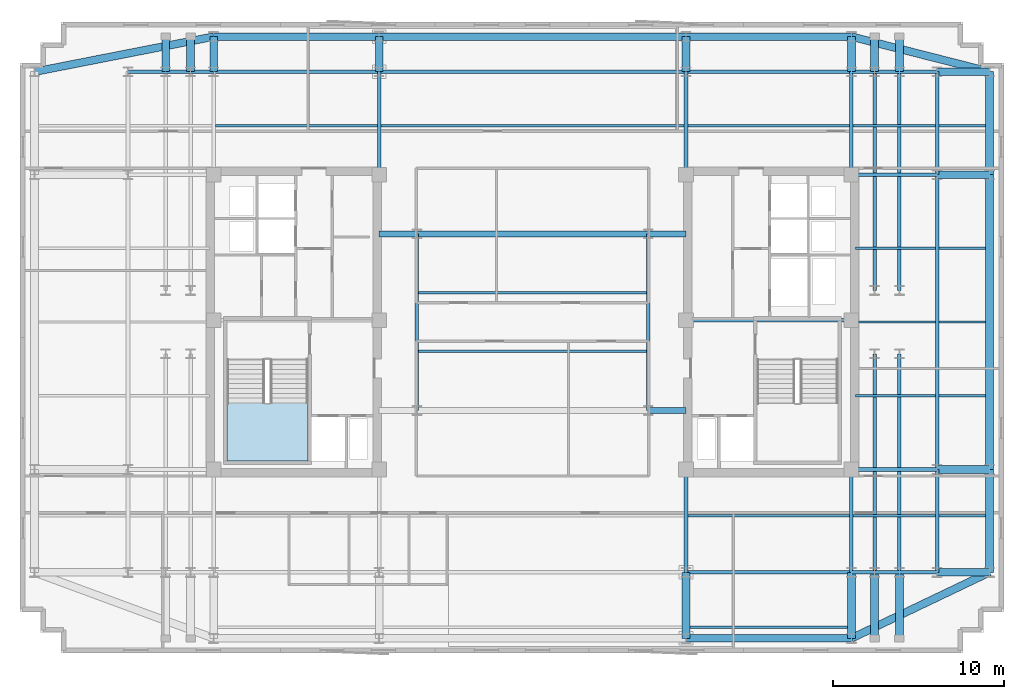
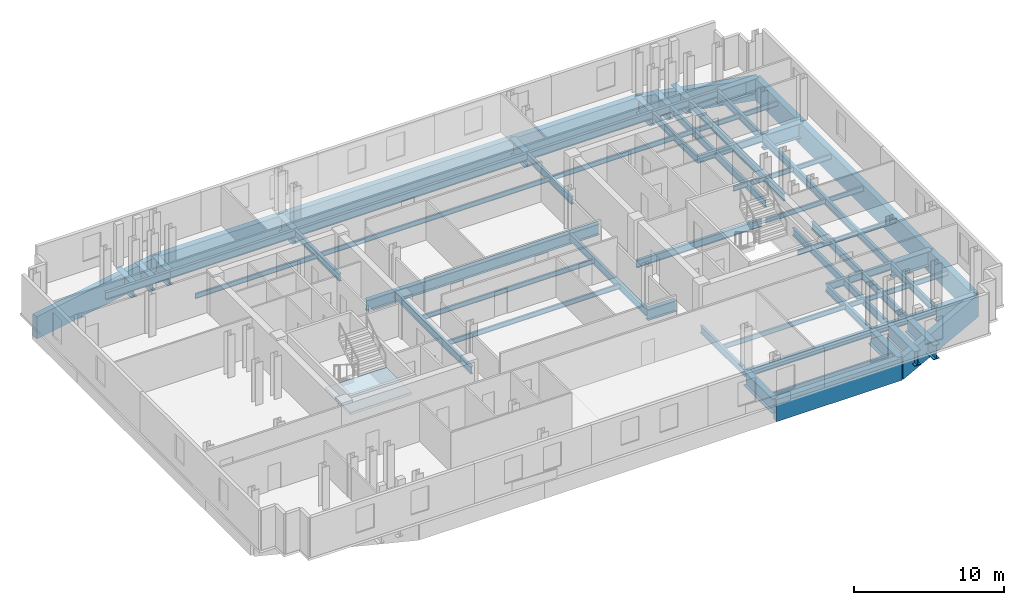
# One storey, part 2 of 9: 71 beams, 1 slab, 1 element without a shape of its own.
"""IFC4 building model written with IfcOpenShell, lengths in metres."""

from ifc_helpers import new_model, si_unit, direction, frame, origin, origin_2d, place, context, subcontext, project, spatial, polyline, rectangle, i_section, outline, extrude, material, layer, layer_set, material_profile, profile_set, type_object, element, aggregate, save


model = new_model("IFC4")

# Units and contexts
model_context = context("Model", 3, precision=1e-05, world=origin(), true_north=direction((0.0, 1.0)))
body_context = subcontext(model_context, "Body", "Model", "MODEL_VIEW")
ifc_project = project(units=[si_unit("LENGTHUNIT", "METRE"), si_unit("AREAUNIT", "SQUARE_METRE"), si_unit("VOLUMEUNIT", "CUBIC_METRE"), si_unit("PLANEANGLEUNIT", "RADIAN"), si_unit("MASSUNIT", "GRAM", prefix="KILO")], contexts=[model_context])

# Site, building, storey
site_placement = place(None, origin())
site = spatial("IfcSite", under=ifc_project, at=site_placement, CompositionType="ELEMENT")
building_placement = place(site_placement, origin())
building = spatial("IfcBuilding", under=site, at=building_placement, Name="Velakula Bourse", CompositionType="ELEMENT")
storey_placement = place(building_placement, frame((0.0, 0.0, 208.5)))
storey = spatial("IfcBuildingStorey", under=building, at=storey_placement, Name="L56", CompositionType="ELEMENT", Elevation=208.5)

# Beams
ifc_material_1 = material(Name="Steel IS 2062 Grade 350 (E350)", Category="steel")
ifc_material_profile_1 = material_profile(ifc_material_1, i_section(OverallWidth=0.2099609375, OverallDepth=0.60009765625, WebThickness=0.011962890625, FlangeThickness=0.020751953125, at=origin_2d()), Name="Steel IS 2062 Grade 350 (E350)")
ifc_profile_set_1 = profile_set([ifc_material_profile_1], Name="Steel IS 2062 Grade 350 (E350)")
beam_type_1 = type_object("IfcBeamType", Name="BM-GRD-600L", PredefinedType="BEAM", material=ifc_profile_set_1)
beam_1_placement = place(storey_placement, frame((8.949951171875, 0.10009765625, -0.47998046875), z_axis=(1.0, 0.0, 0.0), x_axis=(0.0, 1.0, 0.0)))
element("IfcBeam", 1, at=beam_1_placement, inside=storey, type_object=beam_type_1, Name="L56 Primary Backbone Girder CRE-M", PredefinedType="BEAM", context=body_context, shape_type="SweptSolid", body=[
    extrude(i_section(OverallWidth=0.2099609375, OverallDepth=0.60009765625, WebThickness=0.011962890625, FlangeThickness=0.020751953125, at=origin_2d()), origin(), (0.0, 0.0, 1.0), 9.650146484375),
])
for number, where, z_axis, x_axis, name in (
    (2, (-6.75, -5.14990234375, -0.47998046875), (0.0, 1.0, 0.0), (-1.0, 0.0, 0.0), "L56 Primary Backbone Girder SPN-W"),
    (3, (6.75, -5.14990234375, -0.47998046875), (0.0, 1.0, 0.0), (-1.0, 0.0, 0.0), "L56 Primary Backbone Girder SPN-E"),
):
    element("IfcBeam", number, at=place(storey_placement, frame(where, z_axis=z_axis, x_axis=x_axis)), inside=storey, type_object=beam_type_1, Name=name, PredefinedType="BEAM", context=body_context, shape_type="SweptSolid", body=[
        extrude(i_section(OverallWidth=0.2099609375, OverallDepth=0.60009765625, WebThickness=0.011962890625, FlangeThickness=0.020751953125, at=origin_2d()), origin(), (0.0, 0.0, 1.0), 10.2998046875),
    ])
for number, where, z_axis, x_axis, name in (
    (4, (-8.949951171875, 8.60009765625, -0.47998046875), (0.0, 1.0, 0.0), (-1.0, 0.0, 0.0), "L56 Fulcrum Grid Girder FLC-WCN"),
    (5, (8.949951171875, -14.60009765625, -0.47998046875), (0.0, 1.0, 0.0), (-1.0, 0.0, 0.0), "L56 Fulcrum Grid Girder FLC-ECS"),
    (6, (8.949951171875, 8.60009765625, -0.47998046875), (0.0, 1.0, 0.0), (-1.0, 0.0, 0.0), "L56 Fulcrum Grid Girder FLC-ECN"),
    (7, (18.60009765625, -14.60009765625, -0.47998046875), (0.0, 1.0, 0.0), (-1.0, 0.0, 0.0), "L56 Fulcrum Grid Girder FLC-ES"),
    (8, (18.60009765625, 8.60009765625, -0.47998046875), (0.0, 1.0, 0.0), (-1.0, 0.0, 0.0), "L56 Fulcrum Grid Girder FLC-EN"),
):
    element("IfcBeam", number, at=place(storey_placement, frame(where, z_axis=z_axis, x_axis=x_axis)), inside=storey, type_object=beam_type_1, Name=name, PredefinedType="BEAM", context=body_context, shape_type="SweptSolid", body=[
        extrude(i_section(OverallWidth=0.2099609375, OverallDepth=0.60009765625, WebThickness=0.011962890625, FlangeThickness=0.020751953125, at=origin_2d()), origin(), (0.0, 0.0, 1.0), 6.0),
    ])
for number, where, z_axis, x_axis, name in (
    (9, (8.949951171875, -14.60009765625, -0.47998046875), (1.0, 0.0, 0.0), (0.0, 1.0, 0.0), "L56 Fulcrum Grid Girder FLC-S3"),
    (10, (-18.60009765625, 14.60009765625, -0.47998046875), (1.0, 0.0, 0.0), (0.0, 1.0, 0.0), "L56 Fulcrum Grid Girder FLC-N1"),
):
    element("IfcBeam", number, at=place(storey_placement, frame(where, z_axis=z_axis, x_axis=x_axis)), inside=storey, type_object=beam_type_1, Name=name, PredefinedType="BEAM", context=body_context, shape_type="SweptSolid", body=[
        extrude(i_section(OverallWidth=0.2099609375, OverallDepth=0.60009765625, WebThickness=0.011962890625, FlangeThickness=0.020751953125, at=origin_2d()), origin(), (0.0, 0.0, 1.0), 9.650146484375),
    ])
beam_2_placement = place(storey_placement, frame((-8.949951171875, 14.60009765625, -0.47998046875), z_axis=(1.0, 0.0, 0.0), x_axis=(0.0, 1.0, 0.0)))
element("IfcBeam", 11, at=beam_2_placement, inside=storey, type_object=beam_type_1, Name="L56 Fulcrum Grid Girder FLC-N2", PredefinedType="BEAM", context=body_context, shape_type="SweptSolid", body=[
    extrude(i_section(OverallWidth=0.2099609375, OverallDepth=0.60009765625, WebThickness=0.011962890625, FlangeThickness=0.020751953125, at=origin_2d()), origin(), (0.0, 0.0, 1.0), 17.89990234375),
])
beam_3_placement = place(storey_placement, frame((8.949951171875, 14.60009765625, -0.47998046875), z_axis=(1.0, 0.0, 0.0), x_axis=(0.0, 1.0, 0.0)))
element("IfcBeam", 12, at=beam_3_placement, inside=storey, type_object=beam_type_1, Name="L56 Fulcrum Grid Girder FLC-N3", PredefinedType="BEAM", context=body_context, shape_type="SweptSolid", body=[
    extrude(i_section(OverallWidth=0.2099609375, OverallDepth=0.60009765625, WebThickness=0.011962890625, FlangeThickness=0.020751953125, at=origin_2d()), origin(), (0.0, 0.0, 1.0), 9.650146484375),
])
for number, where, z_axis, x_axis, name in (
    (13, (19.949951171875, -14.60009765625, -0.47998046875), (0.0, 1.0, 0.0), (-1.0, 0.0, 0.0), "L56 Fulcrum Grid Girder FLC-PSE1"),
    (14, (19.949951171875, 1.85009765625, -0.47998046875), (0.0, 1.0, 0.0), (-1.0, 0.0, 0.0), "L56 Fulcrum Grid Girder FLC-PNE1"),
    (15, (21.39990234375, -14.60009765625, -0.47998046875), (0.0, 1.0, 0.0), (-1.0, 0.0, 0.0), "L56 Fulcrum Grid Girder FLC-PSE2"),
    (16, (21.39990234375, 1.85009765625, -0.47998046875), (0.0, 1.0, 0.0), (-1.0, 0.0, 0.0), "L56 Fulcrum Grid Girder FLC-PNE2"),
):
    element("IfcBeam", number, at=place(storey_placement, frame(where, z_axis=z_axis, x_axis=x_axis)), inside=storey, type_object=beam_type_1, Name=name, PredefinedType="BEAM", context=body_context, shape_type="SweptSolid", body=[
        extrude(i_section(OverallWidth=0.2099609375, OverallDepth=0.60009765625, WebThickness=0.011962890625, FlangeThickness=0.020751953125, at=origin_2d()), origin(), (0.0, 0.0, 1.0), 12.75),
    ])
for number, where, z_axis, x_axis, name in (
    (17, (-23.60009765625, 14.60009765625, -0.47998046875), (1.0, 0.0, 0.0), (0.0, 1.0, 0.0), "L56 Fulcrum Grid Girder MWG-WN2"),
    (18, (18.60009765625, -14.60009765625, -0.47998046875), (1.0, 0.0, 0.0), (0.0, 1.0, 0.0), "L56 Fulcrum Grid Girder MWG-ES1"),
    (19, (18.60009765625, -8.60009765625, -0.47998046875), (1.0, 0.0, 0.0), (0.0, 1.0, 0.0), "L56 Fulcrum Grid Girder MWG-ES2"),
    (20, (18.60009765625, 8.60009765625, -0.47998046875), (1.0, 0.0, 0.0), (0.0, 1.0, 0.0), "L56 Fulcrum Grid Girder MWG-EN1"),
    (21, (18.60009765625, 14.60009765625, -0.47998046875), (1.0, 0.0, 0.0), (0.0, 1.0, 0.0), "L56 Fulcrum Grid Girder MWG-EN2"),
):
    element("IfcBeam", number, at=place(storey_placement, frame(where, z_axis=z_axis, x_axis=x_axis)), inside=storey, type_object=beam_type_1, Name=name, PredefinedType="BEAM", context=body_context, shape_type="SweptSolid", body=[
        extrude(i_section(OverallWidth=0.2099609375, OverallDepth=0.60009765625, WebThickness=0.011962890625, FlangeThickness=0.020751953125, at=origin_2d()), origin(), (0.0, 0.0, 1.0), 5.0),
    ])
beam_4_placement = place(storey_placement, frame((23.60009765625, -14.60009765625, -0.47998046875), z_axis=(0.0, 1.0, 0.0), x_axis=(-1.0, 0.0, 0.0)))
element("IfcBeam", 22, at=beam_4_placement, inside=storey, type_object=beam_type_1, Name="L56 Fulcrum Grid Girder MWG-ENS1", PredefinedType="BEAM", context=body_context, shape_type="SweptSolid", body=[
    extrude(i_section(OverallWidth=0.2099609375, OverallDepth=0.60009765625, WebThickness=0.011962890625, FlangeThickness=0.020751953125, at=origin_2d()), origin(), (0.0, 0.0, 1.0), 6.0),
])
beam_5_placement = place(storey_placement, frame((23.60009765625, -8.60009765625, -0.47998046875), z_axis=(0.0, 1.0, 0.0), x_axis=(-1.0, 0.0, 0.0)))
element("IfcBeam", 23, at=beam_5_placement, inside=storey, type_object=beam_type_1, Name="L56 Fulcrum Grid Girder MWG-ENS2", PredefinedType="BEAM", context=body_context, shape_type="SweptSolid", body=[
    extrude(i_section(OverallWidth=0.2099609375, OverallDepth=0.60009765625, WebThickness=0.011962890625, FlangeThickness=0.020751953125, at=origin_2d()), origin(), (0.0, 0.0, 1.0), 17.2001953125),
])
beam_6_placement = place(storey_placement, frame((23.60009765625, 8.60009765625, -0.47998046875), z_axis=(0.0, 1.0, 0.0), x_axis=(-1.0, 0.0, 0.0)))
element("IfcBeam", 24, at=beam_6_placement, inside=storey, type_object=beam_type_1, Name="L56 Fulcrum Grid Girder MWG-ENS3", PredefinedType="BEAM", context=body_context, shape_type="SweptSolid", body=[
    extrude(i_section(OverallWidth=0.2099609375, OverallDepth=0.60009765625, WebThickness=0.011962890625, FlangeThickness=0.020751953125, at=origin_2d()), origin(), (0.0, 0.0, 1.0), 6.0),
])
ifc_material_profile_2 = material_profile(ifc_material_1, i_section(OverallWidth=0.35009765625, OverallDepth=0.89990234375, WebThickness=0.02001953125, FlangeThickness=0.031982421875, at=origin_2d()), Name="Steel IS 2062 Grade 350 (E350)")
ifc_profile_set_2 = profile_set([ifc_material_profile_2], Name="Steel IS 2062 Grade 350 (E350)")
beam_type_2 = type_object("IfcBeamType", Name="BM-LNK-900", PredefinedType="BEAM", material=ifc_profile_set_2)
for number, where, z_axis, x_axis, name in (
    (25, (6.75, -5.14990234375, -0.6298828125), (1.0, 0.0, 0.0), (0.0, 1.0, 0.0), "L56 Primary Backbone Girder LNK-S3"),
    (26, (-8.949951171875, 5.14990234375, -0.6298828125), (1.0, 0.0, 0.0), (0.0, 1.0, 0.0), "L56 Primary Backbone Girder LNK-N1"),
):
    element("IfcBeam", number, at=place(storey_placement, frame(where, z_axis=z_axis, x_axis=x_axis)), inside=storey, type_object=beam_type_2, Name=name, PredefinedType="BEAM", context=body_context, shape_type="SweptSolid", body=[
        extrude(i_section(OverallWidth=0.35009765625, OverallDepth=0.89990234375, WebThickness=0.02001953125, FlangeThickness=0.031982421875, at=origin_2d()), origin(), (0.0, 0.0, 1.0), 2.199951171875),
    ])
beam_7_placement = place(storey_placement, frame((-6.75, 5.14990234375, -0.6298828125), z_axis=(1.0, 0.0, 0.0), x_axis=(0.0, 1.0, 0.0)))
element("IfcBeam", 27, at=beam_7_placement, inside=storey, type_object=beam_type_2, Name="L56 Primary Backbone Girder LNK-N2", PredefinedType="BEAM", context=body_context, shape_type="SweptSolid", body=[
    extrude(i_section(OverallWidth=0.35009765625, OverallDepth=0.89990234375, WebThickness=0.02001953125, FlangeThickness=0.031982421875, at=origin_2d()), origin(), (0.0, 0.0, 1.0), 13.5),
])
beam_8_placement = place(storey_placement, frame((6.75, 5.14990234375, -0.6298828125), z_axis=(1.0, 0.0, 0.0), x_axis=(0.0, 1.0, 0.0)))
element("IfcBeam", 28, at=beam_8_placement, inside=storey, type_object=beam_type_2, Name="L56 Primary Backbone Girder LNK-N3", PredefinedType="BEAM", context=body_context, shape_type="SweptSolid", body=[
    extrude(i_section(OverallWidth=0.35009765625, OverallDepth=0.89990234375, WebThickness=0.02001953125, FlangeThickness=0.031982421875, at=origin_2d()), origin(), (0.0, 0.0, 1.0), 2.199951171875),
])
ifc_material_profile_3 = material_profile(ifc_material_1, i_section(OverallWidth=0.139892578125, OverallDepth=0.39990234375, WebThickness=0.0087890625, FlangeThickness=0.01611328125, at=origin_2d()), Name="Steel IS 2062 Grade 350 (E350)")
ifc_profile_set_3 = profile_set([ifc_material_profile_3], Name="Steel IS 2062 Grade 350 (E350)")
beam_type_3 = type_object("IfcBeamType", Name="JST-TWR-400", PredefinedType="JOIST", material=ifc_profile_set_3)
beam_9_placement = place(storey_placement, frame((9.175048828125, -17.800048828125, -0.3798828125), z_axis=(1.0, 0.0, 0.0), x_axis=(0.0, 1.0, 0.0)))
element("IfcBeam", 29, at=beam_9_placement, inside=storey, type_object=beam_type_3, Name="L56 Trading Floor Composite Joist 03", PredefinedType="JOIST", context=body_context, shape_type="SweptSolid", body=[
    extrude(i_section(OverallWidth=0.139892578125, OverallDepth=0.39990234375, WebThickness=0.0087890625, FlangeThickness=0.01611328125, at=origin_2d()), origin(), (0.0, 0.0, 1.0), 9.199951171875),
])
beam_10_placement = place(storey_placement, frame((9.054931640625, -11.300048828125, -0.3798828125), z_axis=(1.0, 0.0, 0.0), x_axis=(0.0, 1.0, 0.0)))
element("IfcBeam", 30, at=beam_10_placement, inside=storey, type_object=beam_type_3, Name="L56 Trading Floor Composite Joist 08", PredefinedType="JOIST", context=body_context, shape_type="SweptSolid", body=[
    extrude(i_section(OverallWidth=0.139892578125, OverallDepth=0.39990234375, WebThickness=0.0087890625, FlangeThickness=0.01611328125, at=origin_2d()), origin(), (0.0, 0.0, 1.0), 9.440185546875),
])
beam_11_placement = place(storey_placement, frame((18.705078125, -11.300048828125, -0.3798828125), z_axis=(1.0, 0.0, 0.0), x_axis=(0.0, 1.0, 0.0)))
element("IfcBeam", 31, at=beam_11_placement, inside=storey, type_object=beam_type_3, Name="L56 Trading Floor Composite Joist 09", PredefinedType="JOIST", context=body_context, shape_type="SweptSolid", body=[
    extrude(i_section(OverallWidth=0.139892578125, OverallDepth=0.39990234375, WebThickness=0.0087890625, FlangeThickness=0.01611328125, at=origin_2d()), origin(), (0.0, 0.0, 1.0), 4.7900390625),
])
beam_12_placement = place(storey_placement, frame((23.705078125, -11.300048828125, -0.3798828125), z_axis=(1.0, 0.0, 0.0), x_axis=(0.0, 1.0, 0.0)))
element("IfcBeam", 32, at=beam_12_placement, inside=storey, type_object=beam_type_3, Name="L56 Trading Floor Composite Joist 10", PredefinedType="JOIST", context=body_context, shape_type="SweptSolid", body=[
    extrude(i_section(OverallWidth=0.139892578125, OverallDepth=0.39990234375, WebThickness=0.0087890625, FlangeThickness=0.01611328125, at=origin_2d()), origin(), (0.0, 0.0, 1.0), 2.719970703125),
])
beam_13_placement = place(storey_placement, frame((-18.4951171875, 11.449951171875, -0.3798828125), z_axis=(1.0, 0.0, 0.0), x_axis=(0.0, 1.0, 0.0)))
element("IfcBeam", 33, at=beam_13_placement, inside=storey, type_object=beam_type_3, Name="L56 Trading Floor Composite Joist 13", PredefinedType="JOIST", context=body_context, shape_type="SweptSolid", body=[
    extrude(i_section(OverallWidth=0.139892578125, OverallDepth=0.39990234375, WebThickness=0.0087890625, FlangeThickness=0.01611328125, at=origin_2d()), origin(), (0.0, 0.0, 1.0), 9.440185546875),
])
beam_14_placement = place(storey_placement, frame((-8.844970703125, 11.449951171875, -0.3798828125), z_axis=(1.0, 0.0, 0.0), x_axis=(0.0, 1.0, 0.0)))
element("IfcBeam", 34, at=beam_14_placement, inside=storey, type_object=beam_type_3, Name="L56 Trading Floor Composite Joist 14", PredefinedType="JOIST", context=body_context, shape_type="SweptSolid", body=[
    extrude(i_section(OverallWidth=0.139892578125, OverallDepth=0.39990234375, WebThickness=0.0087890625, FlangeThickness=0.01611328125, at=origin_2d()), origin(), (0.0, 0.0, 1.0), 17.68994140625),
])
beam_15_placement = place(storey_placement, frame((9.054931640625, 11.449951171875, -0.3798828125), z_axis=(1.0, 0.0, 0.0), x_axis=(0.0, 1.0, 0.0)))
element("IfcBeam", 35, at=beam_15_placement, inside=storey, type_object=beam_type_3, Name="L56 Trading Floor Composite Joist 15", PredefinedType="JOIST", context=body_context, shape_type="SweptSolid", body=[
    extrude(i_section(OverallWidth=0.139892578125, OverallDepth=0.39990234375, WebThickness=0.0087890625, FlangeThickness=0.01611328125, at=origin_2d()), origin(), (0.0, 0.0, 1.0), 9.440185546875),
])
beam_16_placement = place(storey_placement, frame((18.705078125, 11.449951171875, -0.3798828125), z_axis=(1.0, 0.0, 0.0), x_axis=(0.0, 1.0, 0.0)))
element("IfcBeam", 36, at=beam_16_placement, inside=storey, type_object=beam_type_3, Name="L56 Trading Floor Composite Joist 16", PredefinedType="JOIST", context=body_context, shape_type="SweptSolid", body=[
    extrude(i_section(OverallWidth=0.139892578125, OverallDepth=0.39990234375, WebThickness=0.0087890625, FlangeThickness=0.01611328125, at=origin_2d()), origin(), (0.0, 0.0, 1.0), 4.7900390625),
])
beam_17_placement = place(storey_placement, frame((23.705078125, 11.449951171875, -0.3798828125), z_axis=(1.0, 0.0, 0.0), x_axis=(0.0, 1.0, 0.0)))
element("IfcBeam", 37, at=beam_17_placement, inside=storey, type_object=beam_type_3, Name="L56 Trading Floor Composite Joist 17", PredefinedType="JOIST", context=body_context, shape_type="SweptSolid", body=[
    extrude(i_section(OverallWidth=0.139892578125, OverallDepth=0.39990234375, WebThickness=0.0087890625, FlangeThickness=0.01611328125, at=origin_2d()), origin(), (0.0, 0.0, 1.0), 2.719970703125),
])
for number, where, z_axis, x_axis, name in (
    (38, (-6.64501953125, -1.699951171875, -0.3798828125), (1.0, 0.0, 0.0), (0.0, 1.0, 0.0), "L56 Trading Floor Composite Joist 18"),
    (39, (-6.64501953125, 1.699951171875, -0.3798828125), (1.0, 0.0, 0.0), (0.0, 1.0, 0.0), "L56 Trading Floor Composite Joist 19"),
):
    element("IfcBeam", number, at=place(storey_placement, frame(where, z_axis=z_axis, x_axis=x_axis)), inside=storey, type_object=beam_type_3, Name=name, PredefinedType="JOIST", context=body_context, shape_type="SweptSolid", body=[
        extrude(i_section(OverallWidth=0.139892578125, OverallDepth=0.39990234375, WebThickness=0.0087890625, FlangeThickness=0.01611328125, at=origin_2d()), origin(), (0.0, 0.0, 1.0), 13.2900390625),
    ])
beam_18_placement = place(storey_placement, frame((18.85009765625, -4.300048828125, -0.3798828125), z_axis=(1.0, 0.0, 0.0), x_axis=(0.0, 1.0, 0.0)))
element("IfcBeam", 40, at=beam_18_placement, inside=storey, type_object=beam_type_3, Name="L56 Trading Floor Composite Joist 22", PredefinedType="JOIST", context=body_context, shape_type="SweptSolid", body=[
    extrude(i_section(OverallWidth=0.139892578125, OverallDepth=0.39990234375, WebThickness=0.0087890625, FlangeThickness=0.01611328125, at=origin_2d()), origin(), (0.0, 0.0, 1.0), 4.64501953125),
])
beam_19_placement = place(storey_placement, frame((23.705078125, -4.300048828125, -0.3798828125), z_axis=(1.0, 0.0, 0.0), x_axis=(0.0, 1.0, 0.0)))
element("IfcBeam", 41, at=beam_19_placement, inside=storey, type_object=beam_type_3, Name="L56 Trading Floor Composite Joist 23", PredefinedType="JOIST", context=body_context, shape_type="SweptSolid", body=[
    extrude(i_section(OverallWidth=0.139892578125, OverallDepth=0.39990234375, WebThickness=0.0087890625, FlangeThickness=0.01611328125, at=origin_2d()), origin(), (0.0, 0.0, 1.0), 2.719970703125),
])
beam_20_placement = place(storey_placement, frame((18.85009765625, 0.0, -0.3798828125), z_axis=(1.0, 0.0, 0.0), x_axis=(0.0, 1.0, 0.0)))
element("IfcBeam", 42, at=beam_20_placement, inside=storey, type_object=beam_type_3, Name="L56 Trading Floor Composite Joist 26", PredefinedType="JOIST", context=body_context, shape_type="SweptSolid", body=[
    extrude(i_section(OverallWidth=0.139892578125, OverallDepth=0.39990234375, WebThickness=0.0087890625, FlangeThickness=0.01611328125, at=origin_2d()), origin(), (0.0, 0.0, 1.0), 4.64501953125),
])
beam_21_placement = place(storey_placement, frame((23.705078125, 0.0, -0.3798828125), z_axis=(1.0, 0.0, 0.0), x_axis=(0.0, 1.0, 0.0)))
element("IfcBeam", 43, at=beam_21_placement, inside=storey, type_object=beam_type_3, Name="L56 Trading Floor Composite Joist 27", PredefinedType="JOIST", context=body_context, shape_type="SweptSolid", body=[
    extrude(i_section(OverallWidth=0.139892578125, OverallDepth=0.39990234375, WebThickness=0.0087890625, FlangeThickness=0.01611328125, at=origin_2d()), origin(), (0.0, 0.0, 1.0), 2.719970703125),
])
beam_22_placement = place(storey_placement, frame((18.85009765625, 4.300048828125, -0.3798828125), z_axis=(1.0, 0.0, 0.0), x_axis=(0.0, 1.0, 0.0)))
element("IfcBeam", 44, at=beam_22_placement, inside=storey, type_object=beam_type_3, Name="L56 Trading Floor Composite Joist 30", PredefinedType="JOIST", context=body_context, shape_type="SweptSolid", body=[
    extrude(i_section(OverallWidth=0.139892578125, OverallDepth=0.39990234375, WebThickness=0.0087890625, FlangeThickness=0.01611328125, at=origin_2d()), origin(), (0.0, 0.0, 1.0), 4.64501953125),
])
beam_23_placement = place(storey_placement, frame((23.705078125, 4.300048828125, -0.3798828125), z_axis=(1.0, 0.0, 0.0), x_axis=(0.0, 1.0, 0.0)))
element("IfcBeam", 45, at=beam_23_placement, inside=storey, type_object=beam_type_3, Name="L56 Trading Floor Composite Joist 31", PredefinedType="JOIST", context=body_context, shape_type="SweptSolid", body=[
    extrude(i_section(OverallWidth=0.139892578125, OverallDepth=0.39990234375, WebThickness=0.0087890625, FlangeThickness=0.01611328125, at=origin_2d()), origin(), (0.0, 0.0, 1.0), 2.719970703125),
])
ifc_material_2 = material(Name="Concrete M50 (fck 50 MPa)", Category="concrete")
ifc_material_profile_4 = material_profile(ifc_material_2, rectangle(XDim=0.449951171875, YDim=1.800048828125, at=origin_2d()), Name="Concrete M50 (fck 50 MPa)")
ifc_profile_set_4 = profile_set([ifc_material_profile_4], Name="Concrete M50 (fck 50 MPa)")
beam_type_4 = type_object("IfcBeamType", Name="SPN-TRF-1800", PredefinedType="SPANDREL", material=ifc_profile_set_4)
for number, where, z_axis, x_axis, name in (
    (46, (8.949951171875, -18.449951171875, -1.080078125), (1.0, 0.0, 0.0), (0.0, 1.0, 0.0), "L56 Brick-Faced Precast Spandrel S3-S4"),
    (47, (-18.60009765625, 16.64990234375, -1.080078125), (1.0, 0.0, 0.0), (0.0, 1.0, 0.0), "L56 Brick-Faced Precast Spandrel N1-N2"),
):
    element("IfcBeam", number, at=place(storey_placement, frame(where, z_axis=z_axis, x_axis=x_axis)), inside=storey, type_object=beam_type_4, Name=name, PredefinedType="SPANDREL", context=body_context, shape_type="SweptSolid", body=[
        extrude(rectangle(XDim=0.449951171875, YDim=1.800048828125, at=origin_2d()), origin(), (0.0, 0.0, 1.0), 9.650146484375),
    ])
beam_24_placement = place(storey_placement, frame((-8.949951171875, 16.64990234375, -1.080078125), z_axis=(1.0, 0.0, 0.0), x_axis=(0.0, 1.0, 0.0)))
element("IfcBeam", 48, at=beam_24_placement, inside=storey, type_object=beam_type_4, Name="L56 Brick-Faced Precast Spandrel N2-N3", PredefinedType="SPANDREL", context=body_context, shape_type="SweptSolid", body=[
    extrude(rectangle(XDim=0.449951171875, YDim=1.800048828125, at=origin_2d()), origin(), (0.0, 0.0, 1.0), 17.89990234375),
])
beam_25_placement = place(storey_placement, frame((8.949951171875, 16.64990234375, -1.080078125), z_axis=(1.0, 0.0, 0.0), x_axis=(0.0, 1.0, 0.0)))
element("IfcBeam", 49, at=beam_25_placement, inside=storey, type_object=beam_type_4, Name="L56 Brick-Faced Precast Spandrel N3-N4", PredefinedType="SPANDREL", context=body_context, shape_type="SweptSolid", body=[
    extrude(rectangle(XDim=0.449951171875, YDim=1.800048828125, at=origin_2d()), origin(), (0.0, 0.0, 1.0), 9.650146484375),
])
beam_26_placement = place(storey_placement, frame((26.64990234375, -14.60009765625, -1.080078125), z_axis=(0.0, 1.0, 0.0), x_axis=(-1.0, 0.0, 0.0)))
element("IfcBeam", 50, at=beam_26_placement, inside=storey, type_object=beam_type_4, Name="L56 Brick-Faced Precast Spandrel E1-E2", PredefinedType="SPANDREL", context=body_context, shape_type="SweptSolid", body=[
    extrude(rectangle(XDim=0.449951171875, YDim=1.800048828125, at=origin_2d()), origin(), (0.0, 0.0, 1.0), 6.0),
])
beam_27_placement = place(storey_placement, frame((26.64990234375, -8.60009765625, -1.080078125), z_axis=(0.0, 1.0, 0.0), x_axis=(-1.0, 0.0, 0.0)))
element("IfcBeam", 51, at=beam_27_placement, inside=storey, type_object=beam_type_4, Name="L56 Brick-Faced Precast Spandrel E2-E3", PredefinedType="SPANDREL", context=body_context, shape_type="SweptSolid", body=[
    extrude(rectangle(XDim=0.449951171875, YDim=1.800048828125, at=origin_2d()), origin(), (0.0, 0.0, 1.0), 17.2001953125),
])
beam_28_placement = place(storey_placement, frame((26.64990234375, 8.60009765625, -1.080078125), z_axis=(0.0, 1.0, 0.0), x_axis=(-1.0, 0.0, 0.0)))
element("IfcBeam", 52, at=beam_28_placement, inside=storey, type_object=beam_type_4, Name="L56 Brick-Faced Precast Spandrel E3-E4", PredefinedType="SPANDREL", context=body_context, shape_type="SweptSolid", body=[
    extrude(rectangle(XDim=0.449951171875, YDim=1.800048828125, at=origin_2d()), origin(), (0.0, 0.0, 1.0), 6.0),
])
beam_29_placement = place(storey_placement, frame((18.60009765625, -18.449951171875, -1.080078125), z_axis=(0.902136536758, 0.431450656561, 0.0), x_axis=(-0.431450656561, 0.902136536758, 0.0)))
element("IfcBeam", 53, at=beam_29_placement, inside=storey, type_object=beam_type_4, Name="L56 Brick-Faced Precast Spandrel S4-E1", PredefinedType="SPANDREL", context=body_context, shape_type="SweptSolid", body=[
    extrude(rectangle(XDim=0.449951171875, YDim=1.800048828125, at=origin_2d()), origin(), (0.0, 0.0, 1.0), 8.923095703125),
])
beam_30_placement = place(storey_placement, frame((26.64990234375, 14.60009765625, -1.080078125), z_axis=(-0.969075197656, 0.246765599888, 0.0), x_axis=(-0.246765599888, -0.969075197656, 0.0)))
element("IfcBeam", 54, at=beam_30_placement, inside=storey, type_object=beam_type_4, Name="L56 Brick-Faced Precast Spandrel E4-N4", PredefinedType="SPANDREL", context=body_context, shape_type="SweptSolid", body=[
    extrude(rectangle(XDim=0.449951171875, YDim=1.800048828125, at=origin_2d()), origin(), (0.0, 0.0, 1.0), 8.306640625),
])
beam_31_placement = place(storey_placement, frame((-18.60009765625, 16.64990234375, -1.080078125), z_axis=(-0.981299657048, -0.192486319197, 0.0), x_axis=(0.192486319197, -0.981299657048, 0.0)))
element("IfcBeam", 55, at=beam_31_placement, inside=storey, type_object=beam_type_4, Name="L56 Brick-Faced Precast Spandrel N1-W4", PredefinedType="SPANDREL", context=body_context, shape_type="SweptSolid", body=[
    extrude(rectangle(XDim=0.449951171875, YDim=1.800048828125, at=origin_2d()), origin(), (0.0, 0.0, 1.0), 10.649169921875),
])
ifc_material_3 = material(Name="Steel IS 2062 Grade 450 (E450)", Category="steel")
ifc_material_profile_5 = material_profile(ifc_material_3, i_section(OverallWidth=0.449951171875, OverallDepth=1.199951171875, WebThickness=0.02587890625, FlangeThickness=0.0400390625, at=origin_2d()), Name="Steel IS 2062 Grade 450 (E450)")
ifc_profile_set_5 = profile_set([ifc_material_profile_5], Name="Steel IS 2062 Grade 450 (E450)")
beam_type_5 = type_object("IfcBeamType", Name="TB-CANT-1200", PredefinedType="BEAM", material=ifc_profile_set_5)
for number, where, z_axis, x_axis, name in (
    (56, (8.949951171875, -14.60009765625, -0.780029296875), (0.0, -1.0, 0.0), (1.0, 0.0, 0.0), "L56 Perimeter Tie Girder S3"),
    (57, (18.60009765625, -14.60009765625, -0.780029296875), (0.0, -1.0, 0.0), (1.0, 0.0, 0.0), "L56 Perimeter Tie Girder S4"),
):
    element("IfcBeam", number, at=place(storey_placement, frame(where, z_axis=z_axis, x_axis=x_axis)), inside=storey, type_object=beam_type_5, Name=name, PredefinedType="BEAM", context=body_context, shape_type="SweptSolid", body=[
        extrude(i_section(OverallWidth=0.449951171875, OverallDepth=1.199951171875, WebThickness=0.02587890625, FlangeThickness=0.0400390625, at=origin_2d()), origin(), (0.0, 0.0, 1.0), 3.849853515625),
    ])
for number, where, z_axis, x_axis, name in (
    (58, (-18.60009765625, 14.60009765625, -0.780029296875), (0.0, 1.0, 0.0), (-1.0, 0.0, 0.0), "L56 Perimeter Tie Girder N1"),
    (59, (-8.949951171875, 14.60009765625, -0.780029296875), (0.0, 1.0, 0.0), (-1.0, 0.0, 0.0), "L56 Perimeter Tie Girder N2"),
    (60, (8.949951171875, 14.60009765625, -0.780029296875), (0.0, 1.0, 0.0), (-1.0, 0.0, 0.0), "L56 Perimeter Tie Girder N3"),
    (61, (18.60009765625, 14.60009765625, -0.780029296875), (0.0, 1.0, 0.0), (-1.0, 0.0, 0.0), "L56 Perimeter Tie Girder N4"),
):
    element("IfcBeam", number, at=place(storey_placement, frame(where, z_axis=z_axis, x_axis=x_axis)), inside=storey, type_object=beam_type_5, Name=name, PredefinedType="BEAM", context=body_context, shape_type="SweptSolid", body=[
        extrude(i_section(OverallWidth=0.449951171875, OverallDepth=1.199951171875, WebThickness=0.02587890625, FlangeThickness=0.0400390625, at=origin_2d()), origin(), (0.0, 0.0, 1.0), 2.0498046875),
    ])
for number, where, z_axis, x_axis, name in (
    (62, (23.60009765625, -14.60009765625, -0.780029296875), (1.0, 0.0, 0.0), (0.0, 1.0, 0.0), "L56 Perimeter Tie Girder E1"),
    (63, (23.60009765625, -8.60009765625, -0.780029296875), (1.0, 0.0, 0.0), (0.0, 1.0, 0.0), "L56 Perimeter Tie Girder E2"),
    (64, (23.60009765625, 8.60009765625, -0.780029296875), (1.0, 0.0, 0.0), (0.0, 1.0, 0.0), "L56 Perimeter Tie Girder E3"),
    (65, (23.60009765625, 14.60009765625, -0.780029296875), (1.0, 0.0, 0.0), (0.0, 1.0, 0.0), "L56 Perimeter Tie Girder E4"),
):
    element("IfcBeam", number, at=place(storey_placement, frame(where, z_axis=z_axis, x_axis=x_axis)), inside=storey, type_object=beam_type_5, Name=name, PredefinedType="BEAM", context=body_context, shape_type="SweptSolid", body=[
        extrude(i_section(OverallWidth=0.449951171875, OverallDepth=1.199951171875, WebThickness=0.02587890625, FlangeThickness=0.0400390625, at=origin_2d()), origin(), (0.0, 0.0, 1.0), 3.0498046875),
    ])
for number, where, z_axis, x_axis, name in (
    (66, (19.949951171875, -14.60009765625, -0.780029296875), (0.0, -1.0, 0.0), (1.0, 0.0, 0.0), "L56 Perimeter Tie Girder P03"),
    (67, (21.39990234375, -14.60009765625, -0.780029296875), (0.0, -1.0, 0.0), (1.0, 0.0, 0.0), "L56 Perimeter Tie Girder P04"),
):
    element("IfcBeam", number, at=place(storey_placement, frame(where, z_axis=z_axis, x_axis=x_axis)), inside=storey, type_object=beam_type_5, Name=name, PredefinedType="BEAM", context=body_context, shape_type="SweptSolid", body=[
        extrude(i_section(OverallWidth=0.449951171875, OverallDepth=1.199951171875, WebThickness=0.02587890625, FlangeThickness=0.0400390625, at=origin_2d()), origin(), (0.0, 0.0, 1.0), 3.849853515625),
    ])
for number, where, z_axis, x_axis, name in (
    (68, (-21.39990234375, 14.60009765625, -0.780029296875), (0.0, 1.0, 0.0), (-1.0, 0.0, 0.0), "L56 Perimeter Tie Girder P05"),
    (69, (-19.949951171875, 14.60009765625, -0.780029296875), (0.0, 1.0, 0.0), (-1.0, 0.0, 0.0), "L56 Perimeter Tie Girder P06"),
    (70, (19.949951171875, 14.60009765625, -0.780029296875), (0.0, 1.0, 0.0), (-1.0, 0.0, 0.0), "L56 Perimeter Tie Girder P07"),
    (71, (21.39990234375, 14.60009765625, -0.780029296875), (0.0, 1.0, 0.0), (-1.0, 0.0, 0.0), "L56 Perimeter Tie Girder P08"),
):
    element("IfcBeam", number, at=place(storey_placement, frame(where, z_axis=z_axis, x_axis=x_axis)), inside=storey, type_object=beam_type_5, Name=name, PredefinedType="BEAM", context=body_context, shape_type="SweptSolid", body=[
        extrude(i_section(OverallWidth=0.449951171875, OverallDepth=1.199951171875, WebThickness=0.02587890625, FlangeThickness=0.0400390625, at=origin_2d()), origin(), (0.0, 0.0, 1.0), 2.0498046875),
    ])

# Stair, slab
ifc_material_4 = material(Name="Concrete M45 (fck 45 MPa)", Category="concrete")
stair_type = type_object("IfcStairType", Name="STR-DOG-390", PredefinedType="HALF_TURN_STAIR", material=ifc_material_4)
stair_placement = place(storey_placement, origin())
stair = element("IfcStair", 72, at=stair_placement, inside=storey, type_object=stair_type, Name="L56 West Core Exit Stair ST-W1", PredefinedType="HALF_TURN_STAIR")
ifc_layer = layer(ifc_material_4, 0.199951171875, Name="Concrete M45 (fck 45 MPa)", Category="concrete")
ifc_layer_set = layer_set([ifc_layer], Name="Concrete M45 (fck 45 MPa)")
slab_type = type_object("IfcSlabType", Name="SLB-STAIR-LND-200", PredefinedType="LANDING", material=ifc_layer_set)
slab_placement = place(storey_placement, frame((0.0, 0.0, 1.52490234375)))
slab = element("IfcSlab", 73, at=slab_placement, type_object=slab_type, Name="ST-W1 landing 1", PredefinedType="LANDING", context=body_context, shape_type="SweptSolid", body=[
    extrude(outline(polyline([(-17.820068359375, -4.719970703125), (-17.820068359375, -8.10009765625), (-13.10009765625, -8.10009765625), (-13.10009765625, -4.719970703125), (-17.820068359375, -4.719970703125)])), origin(), (0.0, 0.0, 1.0), 0.2001953125),
])
aggregate(stair, [slab])

save(model, "model.ifc")
